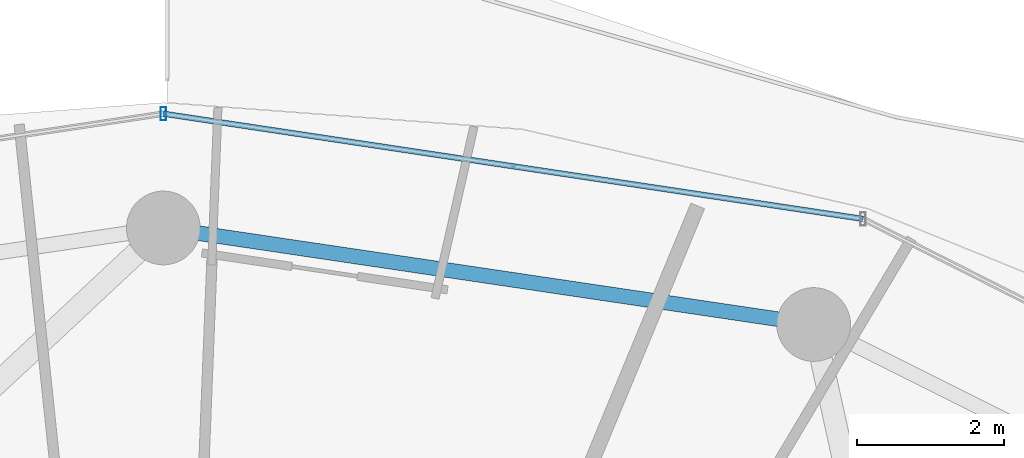
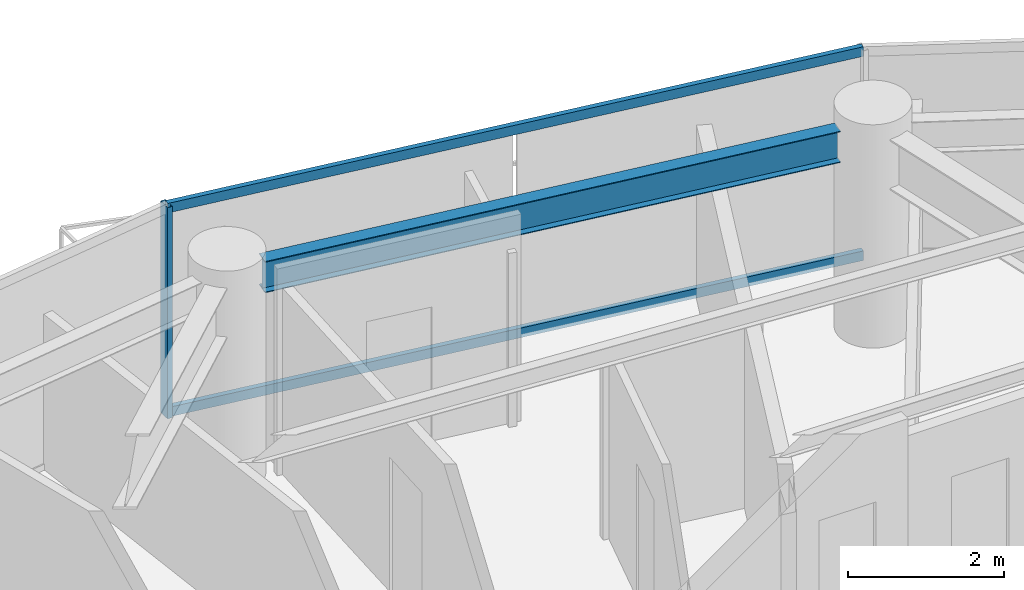
# One storey, part 17 of 28: 3 members, 1 beam, 1 element without a shape of its own.
"""IFC4 building model written with IfcOpenShell, lengths in metres."""

from ifc_helpers import new_model, si_unit, direction, frame, origin, origin_2d, place, context, subcontext, project, spatial, hollow_rectangle, i_section, extrude, material, material_profile, profile_set, type_object, element, aggregate, save


model = new_model("IFC4")

# Units and contexts
model_context = context("Model", 3, precision=1e-05, world=origin(), true_north=direction((0.0, 1.0)))
body_context = subcontext(model_context, "Body", "Model", "MODEL_VIEW")
ifc_project = project(units=[si_unit("LENGTHUNIT", "METRE"), si_unit("AREAUNIT", "SQUARE_METRE"), si_unit("VOLUMEUNIT", "CUBIC_METRE"), si_unit("PLANEANGLEUNIT", "RADIAN"), si_unit("MASSUNIT", "GRAM", prefix="KILO")], contexts=[model_context])

# Site, building, storey
site_placement = place(None, origin())
site = spatial("IfcSite", under=ifc_project, at=site_placement, CompositionType="ELEMENT")
building_placement = place(site_placement, origin())
building = spatial("IfcBuilding", under=site, at=building_placement, Name="Vorneva Point Tower", CompositionType="ELEMENT")
storey_placement = place(building_placement, frame((0.0, 0.0, 143.10009765625)))
storey = spatial("IfcBuildingStorey", under=building, at=storey_placement, Name="L38", CompositionType="ELEMENT", Elevation=143.10009765625)

# Beam
ifc_material_1 = material(Name="Steel S355", Category="steel")
ifc_material_profile_1 = material_profile(ifc_material_1, i_section(OverallWidth=0.199951171875, OverallDepth=0.491943359375, WebThickness=0.0087890625, FlangeThickness=0.011962890625, at=origin_2d()), Name="50B1")
ifc_profile_set_1 = profile_set([ifc_material_profile_1], Name="Steel S355")
beam_type = type_object("IfcBeamType", Name="BM-SPN-50B1", PredefinedType="SPANDREL", material=ifc_profile_set_1)
beam_placement = place(storey_placement, frame((46.34130859375, 41.9619140625, 2.993896484375), z_axis=(-0.989161199046, 0.146833655211, 0.0), x_axis=(-0.146833655211, -0.989161199046, 0.0)))
element("IfcBeam", 1, at=beam_placement, inside=storey, type_object=beam_type, Name="L38 Perimeter Spandrel Ring Beam 04", PredefinedType="SPANDREL", context=body_context, shape_type="SweptSolid", body=[
    extrude(i_section(OverallWidth=0.199951171875, OverallDepth=0.491943359375, WebThickness=0.0087890625, FlangeThickness=0.011962890625, at=origin_2d()), origin(), (0.0, 0.0, 1.0), 7.94775390625),
])

# Curtain wall, members
ifc_material_2 = material(Name="Pale anodised aluminium", Category="aluminium")
curtain_wall_type = type_object("IfcCurtainWallType", Name="CW-RES-SYS", PredefinedType="NOTDEFINED", material=ifc_material_2)
curtain_wall_placement = place(storey_placement, origin())
curtain_wall = element("IfcCurtainWall", 2, at=curtain_wall_placement, inside=storey, type_object=curtain_wall_type, Name="L38 Unitised Curtain Wall CW-L38-R01", PredefinedType="NOTDEFINED")
ifc_material_profile_2 = material_profile(ifc_material_2, hollow_rectangle(XDim=0.074951171875, YDim=0.179931640625, WallThickness=0.00390625, at=origin_2d()), Name="AL-MUL 180x75x4")
ifc_profile_set_2 = profile_set([ifc_material_profile_2], Name="Pale anodised aluminium")
member_type_1 = type_object("IfcMemberType", Name="CW-MUL-180", PredefinedType="MULLION", material=ifc_profile_set_2)
member_1_placement = place(storey_placement, frame((38.0, 44.75, -0.0400390625), z_axis=(0.0, 0.0, 1.0), x_axis=(1.0, 0.0, 0.0)))
member_1 = element("IfcMember", 3, at=member_1_placement, type_object=member_type_1, Name="CW-L38-R01 Mullion 04", PredefinedType="MULLION", context=body_context, shape_type="SweptSolid", body=[
    extrude(hollow_rectangle(XDim=0.074951171875, YDim=0.179931640625, WallThickness=0.00390625, at=origin_2d()), origin(), (0.0, 0.0, 1.0), 3.31005859375),
])
ifc_material_profile_3 = material_profile(ifc_material_2, hollow_rectangle(XDim=0.074951171875, YDim=0.14990234375, WallThickness=0.00390625, at=origin_2d()), Name="AL-TRN 150x75x4")
ifc_profile_set_3 = profile_set([ifc_material_profile_3], Name="Pale anodised aluminium")
member_type_2 = type_object("IfcMemberType", Name="CW-TRN-150", PredefinedType="USERDEFINED", material=ifc_profile_set_3)
member_2_placement = place(storey_placement, frame((47.490478515625, 43.32275390625, 0.02001953125), z_axis=(-0.988880117727, 0.148714870687, 0.0), x_axis=(-0.148714870687, -0.988880117727, 0.0)))
member_2 = element("IfcMember", 4, at=member_2_placement, type_object=member_type_2, Name="CW-L38-R01 Transom 03.1", ObjectType="TRANSOM", PredefinedType="USERDEFINED", context=body_context, shape_type="SweptSolid", body=[
    extrude(hollow_rectangle(XDim=0.074951171875, YDim=0.14990234375, WallThickness=0.00390625, at=origin_2d()), origin(), (0.0, 0.0, 1.0), 9.59716796875),
])
member_3_placement = place(storey_placement, frame((47.490478515625, 43.32275390625, 3.219970703125), z_axis=(-0.988880117727, 0.148714870687, 0.0), x_axis=(-0.148714870687, -0.988880117727, 0.0)))
member_3 = element("IfcMember", 5, at=member_3_placement, type_object=member_type_2, Name="CW-L38-R01 Transom 03.2", ObjectType="TRANSOM", PredefinedType="USERDEFINED", context=body_context, shape_type="SweptSolid", body=[
    extrude(hollow_rectangle(XDim=0.074951171875, YDim=0.14990234375, WallThickness=0.00390625, at=origin_2d()), origin(), (0.0, 0.0, 1.0), 9.59716796875),
])
aggregate(curtain_wall, [member_1, member_2, member_3])

save(model, "model.ifc")
